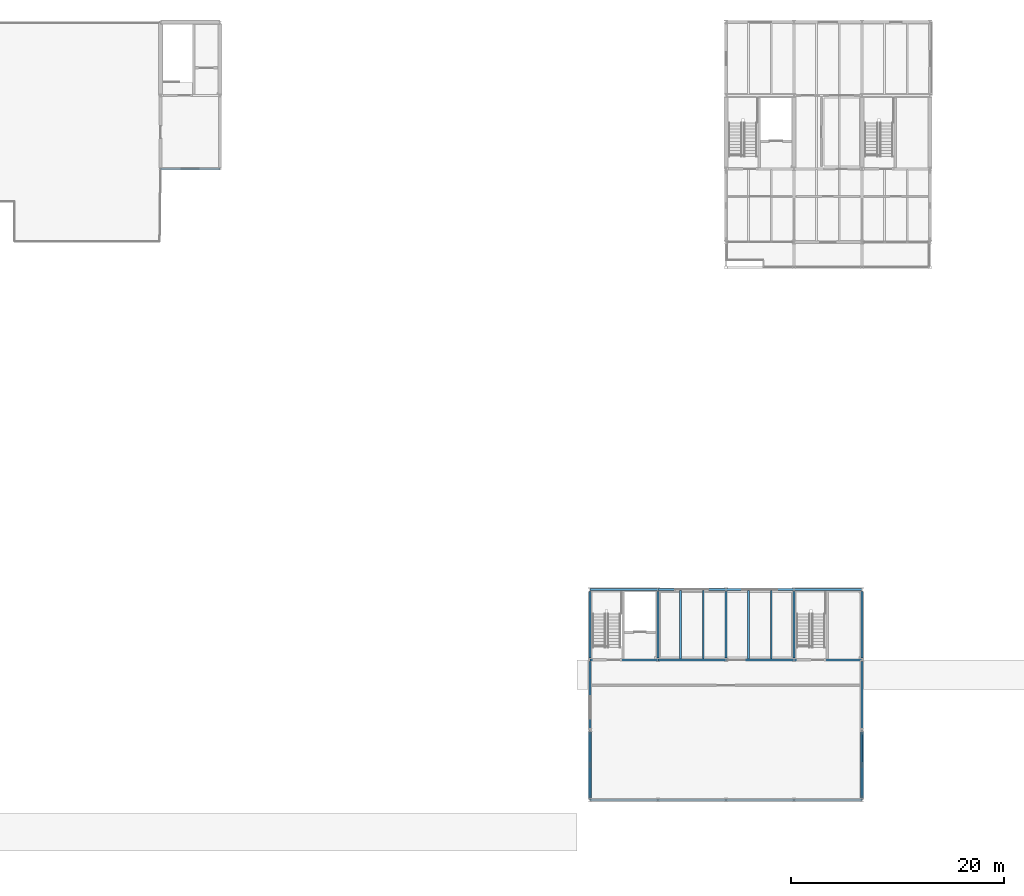
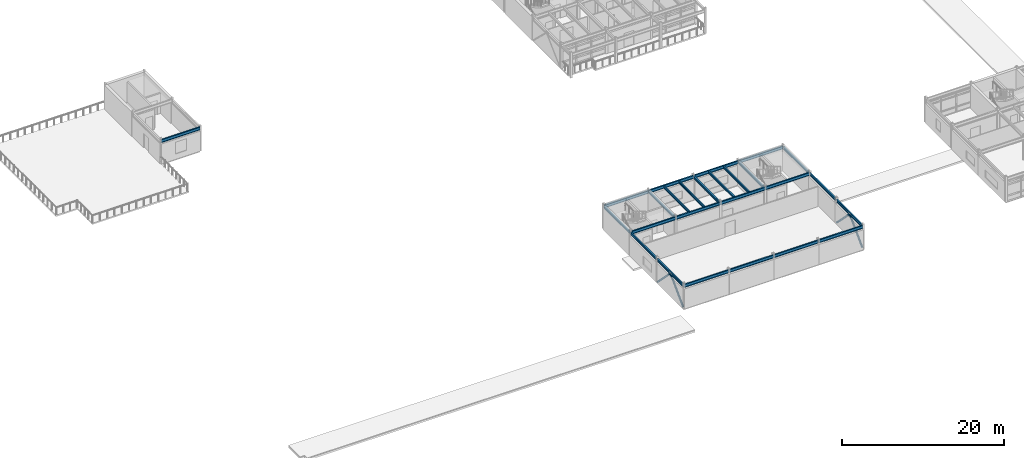
# One storey, part 14 of 49: 26 beams, 4 members.
"""IFC4 building model written with IfcOpenShell, lengths in metres."""

from ifc_helpers import new_model, si_unit, direction, frame, origin, origin_2d, place, context, subcontext, project, spatial, hollow_circle, i_section, extrude, material, material_profile, profile_set, type_object, element, save


model = new_model("IFC4")

# Units and contexts
model_context = context("Model", 3, precision=1e-05, world=origin(), true_north=direction((0.0, 1.0)))
body_context = subcontext(model_context, "Body", "Model", "MODEL_VIEW")
ifc_project = project(units=[si_unit("LENGTHUNIT", "METRE"), si_unit("AREAUNIT", "SQUARE_METRE"), si_unit("VOLUMEUNIT", "CUBIC_METRE"), si_unit("PLANEANGLEUNIT", "RADIAN"), si_unit("MASSUNIT", "GRAM", prefix="KILO")], contexts=[model_context])

# Site, building, storey
site_placement = place(None, origin())
site = spatial("IfcSite", under=ifc_project, at=site_placement, CompositionType="ELEMENT")
building_placement = place(site_placement, origin())
building = spatial("IfcBuilding", under=site, at=building_placement, Name="Trelmorton Wharf Fire Station", CompositionType="ELEMENT")
storey_placement = place(building_placement, frame((0.0, 0.0, 9.60009765625)))
storey = spatial("IfcBuildingStorey", under=building, at=storey_placement, Name="L02", CompositionType="ELEMENT", Elevation=9.60009765625)

# Beams
ifc_material_1 = material(Name="Steel Grade 350", Category="steel")
ifc_material_profile_1 = material_profile(ifc_material_1, i_section(OverallWidth=0.177978515625, OverallDepth=0.406005859375, WebThickness=0.0078125, FlangeThickness=0.0126953125, FilletRadius=0.011474609375, at=origin_2d()), Name="410UB59.7")
ifc_profile_set_1 = profile_set([ifc_material_profile_1], Name="Steel Grade 350")
beam_type_1 = type_object("IfcBeamType", Name="BM_410UB60", PredefinedType="BEAM", material=ifc_profile_set_1)
for number, where, z_axis, x_axis, name in (
    (1, (58.0, 7.95361328125, 3.427001953125), (0.0, 1.0, 0.0), (-1.0, 0.0, 0.0), "BM-L02-0788"),
    (2, (58.0, 14.553466796875, 3.427001953125), (0.0, 1.0, 0.0), (-1.0, 0.0, 0.0), "BM-L02-0789"),
    (3, (58.0, 21.153564453125, 3.427001953125), (0.0, 1.0, 0.0), (-1.0, 0.0, 0.0), "BM-L02-0790"),
    (4, (64.39990234375, 21.153564453125, 3.427001953125), (0.0, 1.0, 0.0), (-1.0, 0.0, 0.0), "BM-L02-0791"),
    (5, (70.800048828125, 21.153564453125, 3.427001953125), (0.0, 1.0, 0.0), (-1.0, 0.0, 0.0), "BM-L02-0792"),
    (6, (77.199951171875, 21.153564453125, 3.427001953125), (0.0, 1.0, 0.0), (-1.0, 0.0, 0.0), "BM-L02-0797"),
    (7, (83.60009765625, 7.95361328125, 3.427001953125), (0.0, 1.0, 0.0), (-1.0, 0.0, 0.0), "BM-L02-0802"),
    (8, (83.60009765625, 14.553466796875, 3.427001953125), (0.0, 1.0, 0.0), (-1.0, 0.0, 0.0), "BM-L02-0803"),
    (9, (83.60009765625, 21.153564453125, 3.427001953125), (0.0, 1.0, 0.0), (-1.0, 0.0, 0.0), "BM-L02-0804"),
):
    element("IfcBeam", number, at=place(storey_placement, frame(where, z_axis=z_axis, x_axis=x_axis)), inside=storey, type_object=beam_type_1, Name=name, PredefinedType="BEAM", context=body_context, shape_type="SweptSolid", body=[
        extrude(i_section(OverallWidth=0.177978515625, OverallDepth=0.406005859375, WebThickness=0.0078125, FlangeThickness=0.0126953125, FilletRadius=0.011474609375, at=origin_2d()), origin(), (0.0, 0.0, 1.0), 6.29296875),
    ])
ifc_material_profile_2 = material_profile(ifc_material_1, i_section(OverallWidth=0.19091796875, OverallDepth=0.4599609375, WebThickness=0.010009765625, FlangeThickness=0.01611328125, FilletRadius=0.011474609375, at=origin_2d()), Name="460UB82.1")
ifc_profile_set_2 = profile_set([ifc_material_profile_2], Name="Steel Grade 350")
beam_type_2 = type_object("IfcBeamType", Name="BM_460UB82", PredefinedType="BEAM", material=ifc_profile_set_2)
beam_1_placement = place(storey_placement, frame((58.00390625, 21.0, 3.39990234375), z_axis=(1.0, 0.0, 0.0), x_axis=(0.0, 1.0, 0.0)))
element("IfcBeam", 10, at=beam_1_placement, inside=storey, type_object=beam_type_2, Name="BM-L02-0704", PredefinedType="BEAM", context=body_context, shape_type="SweptSolid", body=[
    extrude(i_section(OverallWidth=0.19091796875, OverallDepth=0.4599609375, WebThickness=0.010009765625, FlangeThickness=0.01611328125, FilletRadius=0.011474609375, at=origin_2d()), origin(), (0.0, 0.0, 1.0), 6.39208984375),
])
beam_2_placement = place(storey_placement, frame((64.404052734375, 21.0, 3.39990234375), z_axis=(1.0, 0.0, 0.0), x_axis=(0.0, 1.0, 0.0)))
element("IfcBeam", 11, at=beam_2_placement, inside=storey, type_object=beam_type_2, Name="BM-L02-0705", PredefinedType="BEAM", context=body_context, shape_type="SweptSolid", body=[
    extrude(i_section(OverallWidth=0.19091796875, OverallDepth=0.4599609375, WebThickness=0.010009765625, FlangeThickness=0.01611328125, FilletRadius=0.011474609375, at=origin_2d()), origin(), (0.0, 0.0, 1.0), 6.391845703125),
])
beam_3_placement = place(storey_placement, frame((70.803955078125, 21.0, 3.39990234375), z_axis=(1.0, 0.0, 0.0), x_axis=(0.0, 1.0, 0.0)))
element("IfcBeam", 12, at=beam_3_placement, inside=storey, type_object=beam_type_2, Name="BM-L02-0706", PredefinedType="BEAM", context=body_context, shape_type="SweptSolid", body=[
    extrude(i_section(OverallWidth=0.19091796875, OverallDepth=0.4599609375, WebThickness=0.010009765625, FlangeThickness=0.01611328125, FilletRadius=0.011474609375, at=origin_2d()), origin(), (0.0, 0.0, 1.0), 6.39208984375),
])
beam_4_placement = place(storey_placement, frame((77.2041015625, 21.0, 3.39990234375), z_axis=(1.0, 0.0, 0.0), x_axis=(0.0, 1.0, 0.0)))
element("IfcBeam", 13, at=beam_4_placement, inside=storey, type_object=beam_type_2, Name="BM-L02-0707", PredefinedType="BEAM", context=body_context, shape_type="SweptSolid", body=[
    extrude(i_section(OverallWidth=0.19091796875, OverallDepth=0.4599609375, WebThickness=0.010009765625, FlangeThickness=0.01611328125, FilletRadius=0.011474609375, at=origin_2d()), origin(), (0.0, 0.0, 1.0), 6.391845703125),
])
beam_5_placement = place(storey_placement, frame((17.60400390625, 67.199951171875, 3.39990234375), z_axis=(1.0, 0.0, 0.0), x_axis=(0.0, 1.0, 0.0)))
element("IfcBeam", 14, at=beam_5_placement, inside=storey, type_object=beam_type_2, Name="BM-L02-0745", PredefinedType="BEAM", context=body_context, shape_type="SweptSolid", body=[
    extrude(i_section(OverallWidth=0.19091796875, OverallDepth=0.4599609375, WebThickness=0.010009765625, FlangeThickness=0.01611328125, FilletRadius=0.011474609375, at=origin_2d()), origin(), (0.0, 0.0, 1.0), 5.592041015625),
])

# Members
ifc_material_2 = material(Name="Steel C350L0 (350 MPa)", Category="steel")
ifc_material_profile_3 = material_profile(ifc_material_2, hollow_circle(Radius=0.136474609375, WallThickness=0.00927734375, at=origin_2d()), Name="273.1x9.3CHS")
ifc_profile_set_3 = profile_set([ifc_material_profile_3], Name="Steel C350L0 (350 MPa)")
member_type = type_object("IfcMemberType", Name="BR_273CHS", PredefinedType="BRACE", material=ifc_profile_set_3)
for number, where, z_axis, x_axis, name in (
    (15, (58.0, 7.95458984375, 0.119873046875), (0.0, 0.705489603679, 0.708720268583), (-1.0, 0.0, 0.0), "CBF-V3-W-L02-A"),
    (16, (58.0, 14.24560546875, 0.119873046875), (0.0, -0.705489603679, 0.708720268583), (1.0, 0.0, 0.0), "CBF-V3-W-L02-B"),
    (17, (83.60009765625, 7.95458984375, 0.119873046875), (0.0, 0.705489603679, 0.708720268583), (-1.0, 0.0, 0.0), "CBF-V3-E-L02-A"),
    (18, (83.60009765625, 14.24560546875, 0.119873046875), (0.0, -0.705489603679, 0.708720268583), (1.0, 0.0, 0.0), "CBF-V3-E-L02-B"),
):
    element("IfcMember", number, at=place(storey_placement, frame(where, z_axis=z_axis, x_axis=x_axis)), inside=storey, type_object=member_type, Name=name, PredefinedType="BRACE", context=body_context, shape_type="SweptSolid", body=[
        extrude(hollow_circle(Radius=0.136474609375, WallThickness=0.00927734375, at=origin_2d()), origin(), (0.0, 0.0, 1.0), 4.45849609375),
    ])

# Beams
ifc_material_profile_4 = material_profile(ifc_material_1, i_section(OverallWidth=0.172119140625, OverallDepth=0.35888671875, WebThickness=0.008056640625, FlangeThickness=0.012939453125, FilletRadius=0.011474609375, at=origin_2d()), Name="360UB56.7")
ifc_profile_set_4 = profile_set([ifc_material_profile_4], Name="Steel Grade 350")
beam_type_3 = type_object("IfcBeamType", Name="JS_360UB57", PredefinedType="JOIST", material=ifc_profile_set_4)
for number, where, z_axis, x_axis, name in (
    (19, (66.533203125, 21.090087890625, 3.450439453125), (0.0, 1.0, 0.0), (-1.0, 0.0, 0.0), "JS-L02-0225"),
    (20, (68.666748046875, 21.090087890625, 3.450439453125), (0.0, 1.0, 0.0), (-1.0, 0.0, 0.0), "JS-L02-0226"),
    (21, (72.933349609375, 21.090087890625, 3.450439453125), (0.0, 1.0, 0.0), (-1.0, 0.0, 0.0), "JS-L02-0227"),
    (22, (75.066650390625, 21.090087890625, 3.450439453125), (0.0, 1.0, 0.0), (-1.0, 0.0, 0.0), "JS-L02-0228"),
):
    element("IfcBeam", number, at=place(storey_placement, frame(where, z_axis=z_axis, x_axis=x_axis)), inside=storey, type_object=beam_type_3, Name=name, PredefinedType="JOIST", context=body_context, shape_type="SweptSolid", body=[
        extrude(i_section(OverallWidth=0.172119140625, OverallDepth=0.35888671875, WebThickness=0.008056640625, FlangeThickness=0.012939453125, FilletRadius=0.011474609375, at=origin_2d()), origin(), (0.0, 0.0, 1.0), 6.419921875),
    ])
ifc_material_profile_5 = material_profile(ifc_material_1, i_section(OverallWidth=0.18994140625, OverallDepth=0.45703125, WebThickness=0.009033203125, FlangeThickness=0.014404296875, FilletRadius=0.011474609375, at=origin_2d()), Name="460UB74.6")
ifc_profile_set_5 = profile_set([ifc_material_profile_5], Name="Steel Grade 350")
beam_type_4 = type_object("IfcBeamType", Name="SP_460UB75", PredefinedType="SPANDREL", material=ifc_profile_set_5)
beam_6_placement = place(storey_placement, frame((58.00390625, 7.800048828125, 3.4013671875), z_axis=(1.0, 0.0, 0.0), x_axis=(0.0, 1.0, 0.0)))
element("IfcBeam", 23, at=beam_6_placement, inside=storey, type_object=beam_type_4, Name="BM-L02-0682", PredefinedType="SPANDREL", context=body_context, shape_type="SweptSolid", body=[
    extrude(i_section(OverallWidth=0.18994140625, OverallDepth=0.45703125, WebThickness=0.009033203125, FlangeThickness=0.014404296875, FilletRadius=0.011474609375, at=origin_2d()), origin(), (0.0, 0.0, 1.0), 6.39208984375),
])
beam_7_placement = place(storey_placement, frame((64.404052734375, 7.800048828125, 3.4013671875), z_axis=(1.0, 0.0, 0.0), x_axis=(0.0, 1.0, 0.0)))
element("IfcBeam", 24, at=beam_7_placement, inside=storey, type_object=beam_type_4, Name="BM-L02-0683", PredefinedType="SPANDREL", context=body_context, shape_type="SweptSolid", body=[
    extrude(i_section(OverallWidth=0.18994140625, OverallDepth=0.45703125, WebThickness=0.009033203125, FlangeThickness=0.014404296875, FilletRadius=0.011474609375, at=origin_2d()), origin(), (0.0, 0.0, 1.0), 6.391845703125),
])
beam_8_placement = place(storey_placement, frame((70.803955078125, 7.800048828125, 3.4013671875), z_axis=(1.0, 0.0, 0.0), x_axis=(0.0, 1.0, 0.0)))
element("IfcBeam", 25, at=beam_8_placement, inside=storey, type_object=beam_type_4, Name="BM-L02-0684", PredefinedType="SPANDREL", context=body_context, shape_type="SweptSolid", body=[
    extrude(i_section(OverallWidth=0.18994140625, OverallDepth=0.45703125, WebThickness=0.009033203125, FlangeThickness=0.014404296875, FilletRadius=0.011474609375, at=origin_2d()), origin(), (0.0, 0.0, 1.0), 6.39208984375),
])
beam_9_placement = place(storey_placement, frame((77.2041015625, 7.800048828125, 3.4013671875), z_axis=(1.0, 0.0, 0.0), x_axis=(0.0, 1.0, 0.0)))
element("IfcBeam", 26, at=beam_9_placement, inside=storey, type_object=beam_type_4, Name="BM-L02-0685", PredefinedType="SPANDREL", context=body_context, shape_type="SweptSolid", body=[
    extrude(i_section(OverallWidth=0.18994140625, OverallDepth=0.45703125, WebThickness=0.009033203125, FlangeThickness=0.014404296875, FilletRadius=0.011474609375, at=origin_2d()), origin(), (0.0, 0.0, 1.0), 6.391845703125),
])
beam_10_placement = place(storey_placement, frame((58.00390625, 27.60009765625, 3.4013671875), z_axis=(1.0, 0.0, 0.0), x_axis=(0.0, 1.0, 0.0)))
element("IfcBeam", 27, at=beam_10_placement, inside=storey, type_object=beam_type_4, Name="BM-L02-0717", PredefinedType="SPANDREL", context=body_context, shape_type="SweptSolid", body=[
    extrude(i_section(OverallWidth=0.18994140625, OverallDepth=0.45703125, WebThickness=0.009033203125, FlangeThickness=0.014404296875, FilletRadius=0.011474609375, at=origin_2d()), origin(), (0.0, 0.0, 1.0), 6.39208984375),
])
beam_11_placement = place(storey_placement, frame((64.404052734375, 27.60009765625, 3.4013671875), z_axis=(1.0, 0.0, 0.0), x_axis=(0.0, 1.0, 0.0)))
element("IfcBeam", 28, at=beam_11_placement, inside=storey, type_object=beam_type_4, Name="BM-L02-0718", PredefinedType="SPANDREL", context=body_context, shape_type="SweptSolid", body=[
    extrude(i_section(OverallWidth=0.18994140625, OverallDepth=0.45703125, WebThickness=0.009033203125, FlangeThickness=0.014404296875, FilletRadius=0.011474609375, at=origin_2d()), origin(), (0.0, 0.0, 1.0), 6.391845703125),
])
beam_12_placement = place(storey_placement, frame((70.803955078125, 27.60009765625, 3.4013671875), z_axis=(1.0, 0.0, 0.0), x_axis=(0.0, 1.0, 0.0)))
element("IfcBeam", 29, at=beam_12_placement, inside=storey, type_object=beam_type_4, Name="BM-L02-0719", PredefinedType="SPANDREL", context=body_context, shape_type="SweptSolid", body=[
    extrude(i_section(OverallWidth=0.18994140625, OverallDepth=0.45703125, WebThickness=0.009033203125, FlangeThickness=0.014404296875, FilletRadius=0.011474609375, at=origin_2d()), origin(), (0.0, 0.0, 1.0), 6.39208984375),
])
beam_13_placement = place(storey_placement, frame((77.2041015625, 27.60009765625, 3.4013671875), z_axis=(1.0, 0.0, 0.0), x_axis=(0.0, 1.0, 0.0)))
element("IfcBeam", 30, at=beam_13_placement, inside=storey, type_object=beam_type_4, Name="BM-L02-0720", PredefinedType="SPANDREL", context=body_context, shape_type="SweptSolid", body=[
    extrude(i_section(OverallWidth=0.18994140625, OverallDepth=0.45703125, WebThickness=0.009033203125, FlangeThickness=0.014404296875, FilletRadius=0.011474609375, at=origin_2d()), origin(), (0.0, 0.0, 1.0), 6.391845703125),
])

save(model, "model.ifc")
